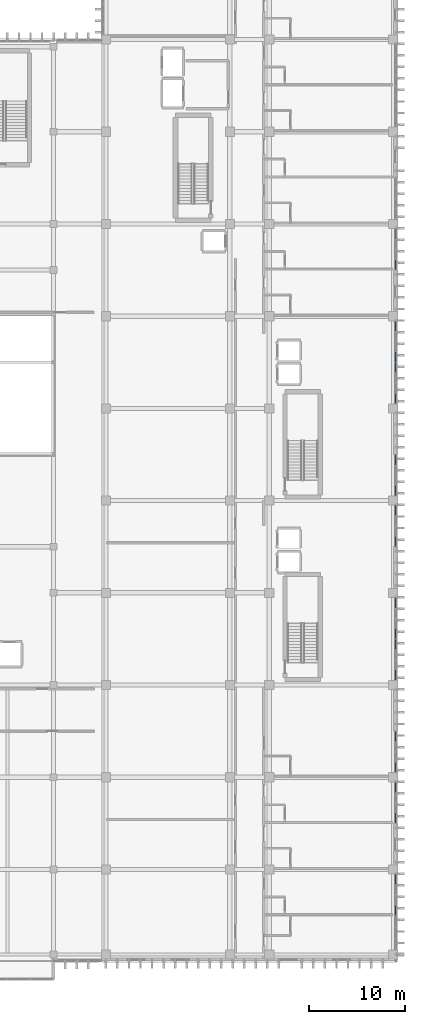
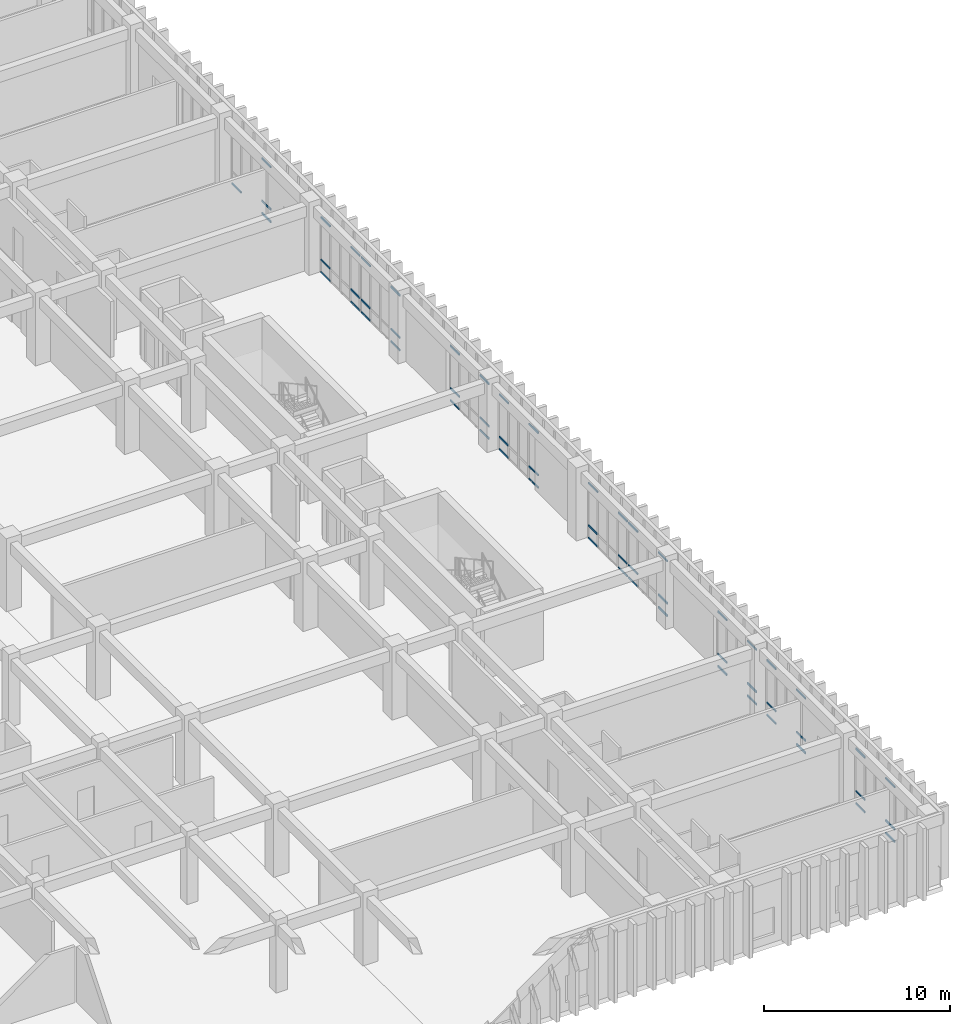
# One storey, part 85 of 133: 58 members, 10 elements without a shape of their own.
"""IFC4 building model written with IfcOpenShell, lengths in metres."""

from ifc_helpers import new_model, si_unit, direction, frame, origin, origin_2d, place, context, subcontext, project, spatial, hollow_rectangle, extrude, material, layer, layer_set, material_profile, profile_set, type_object, element, aggregate, save


model = new_model("IFC4")

# Units and contexts
model_context = context("Model", 3, precision=1e-05, world=origin(), true_north=direction((0.0, 1.0)))
body_context = subcontext(model_context, "Body", "Model", "MODEL_VIEW")
ifc_project = project(units=[si_unit("LENGTHUNIT", "METRE"), si_unit("AREAUNIT", "SQUARE_METRE"), si_unit("VOLUMEUNIT", "CUBIC_METRE"), si_unit("PLANEANGLEUNIT", "RADIAN"), si_unit("MASSUNIT", "GRAM", prefix="KILO")], contexts=[model_context])

# Site, building, storey
site_placement = place(None, origin())
site = spatial("IfcSite", under=ifc_project, at=site_placement, CompositionType="ELEMENT")
building_placement = place(site_placement, origin())
building = spatial("IfcBuilding", under=site, at=building_placement, Name="Nakhvara Creek Congress Hotel", CompositionType="ELEMENT")
storey_placement = place(building_placement, frame((0.0, 0.0, 11.39990234375)))
storey = spatial("IfcBuildingStorey", under=building, at=storey_placement, Name="L02", CompositionType="ELEMENT", Elevation=11.39990234375)

# Curtain wall, members
ifc_material_1 = material(Name="Bronze-anodised aluminium AW-6063-T6 and double-silver low-E glass", Category="aluminium")
ifc_layer = layer(ifc_material_1, 0.199951171875)
ifc_layer_set = layer_set([ifc_layer], Name="Bronze-anodised aluminium AW-6063-T6 and double-silver low-E glass")
curtain_wall_type = type_object("IfcCurtainWallType", Name="CW-HTL-UNIT", PredefinedType="USERDEFINED", material=ifc_layer_set)
curtain_wall_1_placement = place(storey_placement, origin())
curtain_wall_1 = element("IfcCurtainWall", 1, at=curtain_wall_1_placement, inside=storey, type_object=curtain_wall_type, Name="Curtain Wall CW129", ObjectType="UNITISED", PredefinedType="USERDEFINED")
ifc_material_2 = material(Name="Bronze-anodised aluminium AW-6063-T6", Category="aluminium")
ifc_material_profile = material_profile(ifc_material_2, hollow_rectangle(XDim=0.06494140625, YDim=0.1201171875, WallThickness=0.00390625, at=origin_2d()), Name="ALU-TRAN 65x120x4", Category="LoadBearing")
ifc_profile_set = profile_set([ifc_material_profile], Name="Bronze-anodised aluminium AW-6063-T6")
member_type = type_object("IfcMemberType", Name="CW-TRAN-120", PredefinedType="USERDEFINED", material=ifc_profile_set)
member_1_placement = place(storey_placement, frame((179.60009765625, 9.044921875, 0.03271484375), z_axis=(0.0, -1.0, 0.0), x_axis=(1.0, 0.0, 0.0)))
member_1 = element("IfcMember", 2, at=member_1_placement, type_object=member_type, Name="CW129 transom 1.1", ObjectType="TRANSOM", PredefinedType="USERDEFINED", context=body_context, shape_type="SweptSolid", body=[
    extrude(hollow_rectangle(XDim=0.06494140625, YDim=0.1201171875, WallThickness=0.00390625, at=origin_2d()), origin(), (0.0, 0.0, 1.0), 0.97998046875),
])
member_2_placement = place(storey_placement, frame((179.60009765625, 9.044921875, 0.85009765625), z_axis=(0.0, -1.0, 0.0), x_axis=(1.0, 0.0, 0.0)))
member_2 = element("IfcMember", 3, at=member_2_placement, type_object=member_type, Name="CW129 transom 1.2", ObjectType="TRANSOM", PredefinedType="USERDEFINED", context=body_context, shape_type="SweptSolid", body=[
    extrude(hollow_rectangle(XDim=0.06494140625, YDim=0.1201171875, WallThickness=0.00390625, at=origin_2d()), origin(), (0.0, 0.0, 1.0), 0.97998046875),
])
member_3_placement = place(storey_placement, frame((179.60009765625, 9.044921875, 3.629638671875), z_axis=(0.0, -1.0, 0.0), x_axis=(1.0, 0.0, 0.0)))
member_3 = element("IfcMember", 4, at=member_3_placement, type_object=member_type, Name="CW129 transom 1.3", ObjectType="TRANSOM", PredefinedType="USERDEFINED", context=body_context, shape_type="SweptSolid", body=[
    extrude(hollow_rectangle(XDim=0.06494140625, YDim=0.1201171875, WallThickness=0.00390625, at=origin_2d()), origin(), (0.0, 0.0, 1.0), 0.97998046875),
])
member_4_placement = place(storey_placement, frame((179.60009765625, 5.844970703125, 0.03271484375), z_axis=(0.0, -1.0, 0.0), x_axis=(1.0, 0.0, 0.0)))
member_4 = element("IfcMember", 5, at=member_4_placement, type_object=member_type, Name="CW129 transom 4.1", ObjectType="TRANSOM", PredefinedType="USERDEFINED", context=body_context, shape_type="SweptSolid", body=[
    extrude(hollow_rectangle(XDim=0.06494140625, YDim=0.1201171875, WallThickness=0.00390625, at=origin_2d()), origin(), (0.0, 0.0, 1.0), 0.97998046875),
])
member_5_placement = place(storey_placement, frame((179.60009765625, 5.844970703125, 0.85009765625), z_axis=(0.0, -1.0, 0.0), x_axis=(1.0, 0.0, 0.0)))
member_5 = element("IfcMember", 6, at=member_5_placement, type_object=member_type, Name="CW129 transom 4.2", ObjectType="TRANSOM", PredefinedType="USERDEFINED", context=body_context, shape_type="SweptSolid", body=[
    extrude(hollow_rectangle(XDim=0.06494140625, YDim=0.1201171875, WallThickness=0.00390625, at=origin_2d()), origin(), (0.0, 0.0, 1.0), 0.97998046875),
])
member_6_placement = place(storey_placement, frame((179.60009765625, 5.844970703125, 3.629638671875), z_axis=(0.0, -1.0, 0.0), x_axis=(1.0, 0.0, 0.0)))
member_6 = element("IfcMember", 7, at=member_6_placement, type_object=member_type, Name="CW129 transom 4.3", ObjectType="TRANSOM", PredefinedType="USERDEFINED", context=body_context, shape_type="SweptSolid", body=[
    extrude(hollow_rectangle(XDim=0.06494140625, YDim=0.1201171875, WallThickness=0.00390625, at=origin_2d()), origin(), (0.0, 0.0, 1.0), 0.97998046875),
])
aggregate(curtain_wall_1, [member_1, member_2, member_3, member_4, member_5, member_6])

curtain_wall_2_placement = place(storey_placement, origin())
curtain_wall_2 = element("IfcCurtainWall", 8, at=curtain_wall_2_placement, inside=storey, type_object=curtain_wall_type, Name="Curtain Wall CW130", ObjectType="UNITISED", PredefinedType="USERDEFINED")
member_7_placement = place(storey_placement, frame((179.60009765625, 18.64501953125, 0.03271484375), z_axis=(0.0, -1.0, 0.0), x_axis=(1.0, 0.0, 0.0)))
member_7 = element("IfcMember", 9, at=member_7_placement, type_object=member_type, Name="CW130 transom 1.1", ObjectType="TRANSOM", PredefinedType="USERDEFINED", context=body_context, shape_type="SweptSolid", body=[
    extrude(hollow_rectangle(XDim=0.06494140625, YDim=0.1201171875, WallThickness=0.00390625, at=origin_2d()), origin(), (0.0, 0.0, 1.0), 0.97998046875),
])
member_8_placement = place(storey_placement, frame((179.60009765625, 18.64501953125, 0.85009765625), z_axis=(0.0, -1.0, 0.0), x_axis=(1.0, 0.0, 0.0)))
member_8 = element("IfcMember", 10, at=member_8_placement, type_object=member_type, Name="CW130 transom 1.2", ObjectType="TRANSOM", PredefinedType="USERDEFINED", context=body_context, shape_type="SweptSolid", body=[
    extrude(hollow_rectangle(XDim=0.06494140625, YDim=0.1201171875, WallThickness=0.00390625, at=origin_2d()), origin(), (0.0, 0.0, 1.0), 0.97998046875),
])
member_9_placement = place(storey_placement, frame((179.60009765625, 18.64501953125, 3.629638671875), z_axis=(0.0, -1.0, 0.0), x_axis=(1.0, 0.0, 0.0)))
member_9 = element("IfcMember", 11, at=member_9_placement, type_object=member_type, Name="CW130 transom 1.3", ObjectType="TRANSOM", PredefinedType="USERDEFINED", context=body_context, shape_type="SweptSolid", body=[
    extrude(hollow_rectangle(XDim=0.06494140625, YDim=0.1201171875, WallThickness=0.00390625, at=origin_2d()), origin(), (0.0, 0.0, 1.0), 0.97998046875),
])
member_10_placement = place(storey_placement, frame((179.60009765625, 15.445068359375, 0.03271484375), z_axis=(0.0, -1.0, 0.0), x_axis=(1.0, 0.0, 0.0)))
member_10 = element("IfcMember", 12, at=member_10_placement, type_object=member_type, Name="CW130 transom 4.1", ObjectType="TRANSOM", PredefinedType="USERDEFINED", context=body_context, shape_type="SweptSolid", body=[
    extrude(hollow_rectangle(XDim=0.06494140625, YDim=0.1201171875, WallThickness=0.00390625, at=origin_2d()), origin(), (0.0, 0.0, 1.0), 0.97998046875),
])
member_11_placement = place(storey_placement, frame((179.60009765625, 15.445068359375, 0.85009765625), z_axis=(0.0, -1.0, 0.0), x_axis=(1.0, 0.0, 0.0)))
member_11 = element("IfcMember", 13, at=member_11_placement, type_object=member_type, Name="CW130 transom 4.2", ObjectType="TRANSOM", PredefinedType="USERDEFINED", context=body_context, shape_type="SweptSolid", body=[
    extrude(hollow_rectangle(XDim=0.06494140625, YDim=0.1201171875, WallThickness=0.00390625, at=origin_2d()), origin(), (0.0, 0.0, 1.0), 0.97998046875),
])
member_12_placement = place(storey_placement, frame((179.60009765625, 15.445068359375, 3.629638671875), z_axis=(0.0, -1.0, 0.0), x_axis=(1.0, 0.0, 0.0)))
member_12 = element("IfcMember", 14, at=member_12_placement, type_object=member_type, Name="CW130 transom 4.3", ObjectType="TRANSOM", PredefinedType="USERDEFINED", context=body_context, shape_type="SweptSolid", body=[
    extrude(hollow_rectangle(XDim=0.06494140625, YDim=0.1201171875, WallThickness=0.00390625, at=origin_2d()), origin(), (0.0, 0.0, 1.0), 0.97998046875),
])
aggregate(curtain_wall_2, [member_7, member_8, member_9, member_10, member_11, member_12])

curtain_wall_3_placement = place(storey_placement, origin())
curtain_wall_3 = element("IfcCurtainWall", 15, at=curtain_wall_3_placement, inside=storey, type_object=curtain_wall_type, Name="Curtain Wall CW131", ObjectType="UNITISED", PredefinedType="USERDEFINED")
member_13_placement = place(storey_placement, frame((179.60009765625, 23.93505859375, 0.03271484375), z_axis=(0.0, -1.0, 0.0), x_axis=(1.0, 0.0, 0.0)))
member_13 = element("IfcMember", 16, at=member_13_placement, type_object=member_type, Name="CW131 transom 1.1", ObjectType="TRANSOM", PredefinedType="USERDEFINED", context=body_context, shape_type="SweptSolid", body=[
    extrude(hollow_rectangle(XDim=0.06494140625, YDim=0.1201171875, WallThickness=0.00390625, at=origin_2d()), origin(), (0.0, 0.0, 1.0), 0.97998046875),
])
member_14_placement = place(storey_placement, frame((179.60009765625, 23.93505859375, 0.85009765625), z_axis=(0.0, -1.0, 0.0), x_axis=(1.0, 0.0, 0.0)))
member_14 = element("IfcMember", 17, at=member_14_placement, type_object=member_type, Name="CW131 transom 1.2", ObjectType="TRANSOM", PredefinedType="USERDEFINED", context=body_context, shape_type="SweptSolid", body=[
    extrude(hollow_rectangle(XDim=0.06494140625, YDim=0.1201171875, WallThickness=0.00390625, at=origin_2d()), origin(), (0.0, 0.0, 1.0), 0.97998046875),
])
member_15_placement = place(storey_placement, frame((179.60009765625, 23.93505859375, 3.629638671875), z_axis=(0.0, -1.0, 0.0), x_axis=(1.0, 0.0, 0.0)))
member_15 = element("IfcMember", 18, at=member_15_placement, type_object=member_type, Name="CW131 transom 1.3", ObjectType="TRANSOM", PredefinedType="USERDEFINED", context=body_context, shape_type="SweptSolid", body=[
    extrude(hollow_rectangle(XDim=0.06494140625, YDim=0.1201171875, WallThickness=0.00390625, at=origin_2d()), origin(), (0.0, 0.0, 1.0), 0.97998046875),
])
member_16_placement = place(storey_placement, frame((179.60009765625, 20.735107421875, 0.03271484375), z_axis=(0.0, -1.0, 0.0), x_axis=(1.0, 0.0, 0.0)))
member_16 = element("IfcMember", 19, at=member_16_placement, type_object=member_type, Name="CW131 transom 4.1", ObjectType="TRANSOM", PredefinedType="USERDEFINED", context=body_context, shape_type="SweptSolid", body=[
    extrude(hollow_rectangle(XDim=0.06494140625, YDim=0.1201171875, WallThickness=0.00390625, at=origin_2d()), origin(), (0.0, 0.0, 1.0), 0.980224609375),
])
member_17_placement = place(storey_placement, frame((179.60009765625, 20.735107421875, 0.85009765625), z_axis=(0.0, -1.0, 0.0), x_axis=(1.0, 0.0, 0.0)))
member_17 = element("IfcMember", 20, at=member_17_placement, type_object=member_type, Name="CW131 transom 4.2", ObjectType="TRANSOM", PredefinedType="USERDEFINED", context=body_context, shape_type="SweptSolid", body=[
    extrude(hollow_rectangle(XDim=0.06494140625, YDim=0.1201171875, WallThickness=0.00390625, at=origin_2d()), origin(), (0.0, 0.0, 1.0), 0.980224609375),
])
member_18_placement = place(storey_placement, frame((179.60009765625, 20.735107421875, 3.629638671875), z_axis=(0.0, -1.0, 0.0), x_axis=(1.0, 0.0, 0.0)))
member_18 = element("IfcMember", 21, at=member_18_placement, type_object=member_type, Name="CW131 transom 4.3", ObjectType="TRANSOM", PredefinedType="USERDEFINED", context=body_context, shape_type="SweptSolid", body=[
    extrude(hollow_rectangle(XDim=0.06494140625, YDim=0.1201171875, WallThickness=0.00390625, at=origin_2d()), origin(), (0.0, 0.0, 1.0), 0.980224609375),
])
aggregate(curtain_wall_3, [member_13, member_14, member_15, member_16, member_17, member_18])

curtain_wall_4_placement = place(storey_placement, origin())
curtain_wall_4 = element("IfcCurtainWall", 22, at=curtain_wall_4_placement, inside=storey, type_object=curtain_wall_type, Name="Curtain Wall CW132", ObjectType="UNITISED", PredefinedType="USERDEFINED")
member_19_placement = place(storey_placement, frame((179.60009765625, 33.534912109375, 0.03271484375), z_axis=(0.0, -1.0, 0.0), x_axis=(1.0, 0.0, 0.0)))
member_19 = element("IfcMember", 23, at=member_19_placement, type_object=member_type, Name="CW132 transom 1.1", ObjectType="TRANSOM", PredefinedType="USERDEFINED", context=body_context, shape_type="SweptSolid", body=[
    extrude(hollow_rectangle(XDim=0.06494140625, YDim=0.1201171875, WallThickness=0.00390625, at=origin_2d()), origin(), (0.0, 0.0, 1.0), 0.97998046875),
])
member_20_placement = place(storey_placement, frame((179.60009765625, 33.534912109375, 0.85009765625), z_axis=(0.0, -1.0, 0.0), x_axis=(1.0, 0.0, 0.0)))
member_20 = element("IfcMember", 24, at=member_20_placement, type_object=member_type, Name="CW132 transom 1.2", ObjectType="TRANSOM", PredefinedType="USERDEFINED", context=body_context, shape_type="SweptSolid", body=[
    extrude(hollow_rectangle(XDim=0.06494140625, YDim=0.1201171875, WallThickness=0.00390625, at=origin_2d()), origin(), (0.0, 0.0, 1.0), 0.97998046875),
])
member_21_placement = place(storey_placement, frame((179.60009765625, 33.534912109375, 3.629638671875), z_axis=(0.0, -1.0, 0.0), x_axis=(1.0, 0.0, 0.0)))
member_21 = element("IfcMember", 25, at=member_21_placement, type_object=member_type, Name="CW132 transom 1.3", ObjectType="TRANSOM", PredefinedType="USERDEFINED", context=body_context, shape_type="SweptSolid", body=[
    extrude(hollow_rectangle(XDim=0.06494140625, YDim=0.1201171875, WallThickness=0.00390625, at=origin_2d()), origin(), (0.0, 0.0, 1.0), 0.97998046875),
])
member_22_placement = place(storey_placement, frame((179.60009765625, 30.3349609375, 0.03271484375), z_axis=(0.0, -1.0, 0.0), x_axis=(1.0, 0.0, 0.0)))
member_22 = element("IfcMember", 26, at=member_22_placement, type_object=member_type, Name="CW132 transom 4.1", ObjectType="TRANSOM", PredefinedType="USERDEFINED", context=body_context, shape_type="SweptSolid", body=[
    extrude(hollow_rectangle(XDim=0.06494140625, YDim=0.1201171875, WallThickness=0.00390625, at=origin_2d()), origin(), (0.0, 0.0, 1.0), 0.97998046875),
])
member_23_placement = place(storey_placement, frame((179.60009765625, 30.3349609375, 0.85009765625), z_axis=(0.0, -1.0, 0.0), x_axis=(1.0, 0.0, 0.0)))
member_23 = element("IfcMember", 27, at=member_23_placement, type_object=member_type, Name="CW132 transom 4.2", ObjectType="TRANSOM", PredefinedType="USERDEFINED", context=body_context, shape_type="SweptSolid", body=[
    extrude(hollow_rectangle(XDim=0.06494140625, YDim=0.1201171875, WallThickness=0.00390625, at=origin_2d()), origin(), (0.0, 0.0, 1.0), 0.97998046875),
])
member_24_placement = place(storey_placement, frame((179.60009765625, 30.3349609375, 3.629638671875), z_axis=(0.0, -1.0, 0.0), x_axis=(1.0, 0.0, 0.0)))
member_24 = element("IfcMember", 28, at=member_24_placement, type_object=member_type, Name="CW132 transom 4.3", ObjectType="TRANSOM", PredefinedType="USERDEFINED", context=body_context, shape_type="SweptSolid", body=[
    extrude(hollow_rectangle(XDim=0.06494140625, YDim=0.1201171875, WallThickness=0.00390625, at=origin_2d()), origin(), (0.0, 0.0, 1.0), 0.97998046875),
])
aggregate(curtain_wall_4, [member_19, member_20, member_21, member_22, member_23, member_24])

curtain_wall_5_placement = place(storey_placement, origin())
curtain_wall_5 = element("IfcCurtainWall", 29, at=curtain_wall_5_placement, inside=storey, type_object=curtain_wall_type, Name="Curtain Wall CW133", ObjectType="UNITISED", PredefinedType="USERDEFINED")
member_25_placement = place(storey_placement, frame((179.60009765625, 37.844970703125, 0.03271484375), z_axis=(0.0, -1.0, 0.0), x_axis=(1.0, 0.0, 0.0)))
member_25 = element("IfcMember", 30, at=member_25_placement, type_object=member_type, Name="CW133 transom 1.1", ObjectType="TRANSOM", PredefinedType="USERDEFINED", context=body_context, shape_type="SweptSolid", body=[
    extrude(hollow_rectangle(XDim=0.06494140625, YDim=0.1201171875, WallThickness=0.00390625, at=origin_2d()), origin(), (0.0, 0.0, 1.0), 0.97998046875),
])
member_26_placement = place(storey_placement, frame((179.60009765625, 37.844970703125, 0.85009765625), z_axis=(0.0, -1.0, 0.0), x_axis=(1.0, 0.0, 0.0)))
member_26 = element("IfcMember", 31, at=member_26_placement, type_object=member_type, Name="CW133 transom 1.2", ObjectType="TRANSOM", PredefinedType="USERDEFINED", context=body_context, shape_type="SweptSolid", body=[
    extrude(hollow_rectangle(XDim=0.06494140625, YDim=0.1201171875, WallThickness=0.00390625, at=origin_2d()), origin(), (0.0, 0.0, 1.0), 0.97998046875),
])
member_27_placement = place(storey_placement, frame((179.60009765625, 37.844970703125, 3.629638671875), z_axis=(0.0, -1.0, 0.0), x_axis=(1.0, 0.0, 0.0)))
member_27 = element("IfcMember", 32, at=member_27_placement, type_object=member_type, Name="CW133 transom 1.3", ObjectType="TRANSOM", PredefinedType="USERDEFINED", context=body_context, shape_type="SweptSolid", body=[
    extrude(hollow_rectangle(XDim=0.06494140625, YDim=0.1201171875, WallThickness=0.00390625, at=origin_2d()), origin(), (0.0, 0.0, 1.0), 0.97998046875),
])
member_28_placement = place(storey_placement, frame((179.60009765625, 34.64501953125, 0.03271484375), z_axis=(0.0, -1.0, 0.0), x_axis=(1.0, 0.0, 0.0)))
member_28 = element("IfcMember", 33, at=member_28_placement, type_object=member_type, Name="CW133 transom 4.1", ObjectType="TRANSOM", PredefinedType="USERDEFINED", context=body_context, shape_type="SweptSolid", body=[
    extrude(hollow_rectangle(XDim=0.06494140625, YDim=0.1201171875, WallThickness=0.00390625, at=origin_2d()), origin(), (0.0, 0.0, 1.0), 0.97998046875),
])
member_29_placement = place(storey_placement, frame((179.60009765625, 34.64501953125, 0.85009765625), z_axis=(0.0, -1.0, 0.0), x_axis=(1.0, 0.0, 0.0)))
member_29 = element("IfcMember", 34, at=member_29_placement, type_object=member_type, Name="CW133 transom 4.2", ObjectType="TRANSOM", PredefinedType="USERDEFINED", context=body_context, shape_type="SweptSolid", body=[
    extrude(hollow_rectangle(XDim=0.06494140625, YDim=0.1201171875, WallThickness=0.00390625, at=origin_2d()), origin(), (0.0, 0.0, 1.0), 0.97998046875),
])
member_30_placement = place(storey_placement, frame((179.60009765625, 34.64501953125, 3.629638671875), z_axis=(0.0, -1.0, 0.0), x_axis=(1.0, 0.0, 0.0)))
member_30 = element("IfcMember", 35, at=member_30_placement, type_object=member_type, Name="CW133 transom 4.3", ObjectType="TRANSOM", PredefinedType="USERDEFINED", context=body_context, shape_type="SweptSolid", body=[
    extrude(hollow_rectangle(XDim=0.06494140625, YDim=0.1201171875, WallThickness=0.00390625, at=origin_2d()), origin(), (0.0, 0.0, 1.0), 0.97998046875),
])
aggregate(curtain_wall_5, [member_25, member_26, member_27, member_28, member_29, member_30])

curtain_wall_6_placement = place(storey_placement, origin())
curtain_wall_6 = element("IfcCurtainWall", 36, at=curtain_wall_6_placement, inside=storey, type_object=curtain_wall_type, Name="Curtain Wall CW134", ObjectType="UNITISED", PredefinedType="USERDEFINED")
member_31_placement = place(storey_placement, frame((179.60009765625, 47.445068359375, 0.03271484375), z_axis=(0.0, -1.0, 0.0), x_axis=(1.0, 0.0, 0.0)))
member_31 = element("IfcMember", 37, at=member_31_placement, type_object=member_type, Name="CW134 transom 1.1", ObjectType="TRANSOM", PredefinedType="USERDEFINED", context=body_context, shape_type="SweptSolid", body=[
    extrude(hollow_rectangle(XDim=0.06494140625, YDim=0.1201171875, WallThickness=0.00390625, at=origin_2d()), origin(), (0.0, 0.0, 1.0), 0.97998046875),
])
member_32_placement = place(storey_placement, frame((179.60009765625, 47.445068359375, 0.85009765625), z_axis=(0.0, -1.0, 0.0), x_axis=(1.0, 0.0, 0.0)))
member_32 = element("IfcMember", 38, at=member_32_placement, type_object=member_type, Name="CW134 transom 1.2", ObjectType="TRANSOM", PredefinedType="USERDEFINED", context=body_context, shape_type="SweptSolid", body=[
    extrude(hollow_rectangle(XDim=0.06494140625, YDim=0.1201171875, WallThickness=0.00390625, at=origin_2d()), origin(), (0.0, 0.0, 1.0), 0.97998046875),
])
member_33_placement = place(storey_placement, frame((179.60009765625, 47.445068359375, 3.629638671875), z_axis=(0.0, -1.0, 0.0), x_axis=(1.0, 0.0, 0.0)))
member_33 = element("IfcMember", 39, at=member_33_placement, type_object=member_type, Name="CW134 transom 1.3", ObjectType="TRANSOM", PredefinedType="USERDEFINED", context=body_context, shape_type="SweptSolid", body=[
    extrude(hollow_rectangle(XDim=0.06494140625, YDim=0.1201171875, WallThickness=0.00390625, at=origin_2d()), origin(), (0.0, 0.0, 1.0), 0.97998046875),
])
member_34_placement = place(storey_placement, frame((179.60009765625, 44.2451171875, 0.03271484375), z_axis=(0.0, -1.0, 0.0), x_axis=(1.0, 0.0, 0.0)))
member_34 = element("IfcMember", 40, at=member_34_placement, type_object=member_type, Name="CW134 transom 4.1", ObjectType="TRANSOM", PredefinedType="USERDEFINED", context=body_context, shape_type="SweptSolid", body=[
    extrude(hollow_rectangle(XDim=0.06494140625, YDim=0.1201171875, WallThickness=0.00390625, at=origin_2d()), origin(), (0.0, 0.0, 1.0), 0.980224609375),
])
member_35_placement = place(storey_placement, frame((179.60009765625, 44.2451171875, 0.85009765625), z_axis=(0.0, -1.0, 0.0), x_axis=(1.0, 0.0, 0.0)))
member_35 = element("IfcMember", 41, at=member_35_placement, type_object=member_type, Name="CW134 transom 4.2", ObjectType="TRANSOM", PredefinedType="USERDEFINED", context=body_context, shape_type="SweptSolid", body=[
    extrude(hollow_rectangle(XDim=0.06494140625, YDim=0.1201171875, WallThickness=0.00390625, at=origin_2d()), origin(), (0.0, 0.0, 1.0), 0.980224609375),
])
member_36_placement = place(storey_placement, frame((179.60009765625, 44.2451171875, 3.629638671875), z_axis=(0.0, -1.0, 0.0), x_axis=(1.0, 0.0, 0.0)))
member_36 = element("IfcMember", 42, at=member_36_placement, type_object=member_type, Name="CW134 transom 4.3", ObjectType="TRANSOM", PredefinedType="USERDEFINED", context=body_context, shape_type="SweptSolid", body=[
    extrude(hollow_rectangle(XDim=0.06494140625, YDim=0.1201171875, WallThickness=0.00390625, at=origin_2d()), origin(), (0.0, 0.0, 1.0), 0.980224609375),
])
aggregate(curtain_wall_6, [member_31, member_32, member_33, member_34, member_35, member_36])

curtain_wall_7_placement = place(storey_placement, origin())
curtain_wall_7 = element("IfcCurtainWall", 43, at=curtain_wall_7_placement, inside=storey, type_object=curtain_wall_type, Name="Curtain Wall CW135", ObjectType="UNITISED", PredefinedType="USERDEFINED")
member_37_placement = place(storey_placement, frame((179.60009765625, 52.735107421875, 0.03271484375), z_axis=(0.0, -1.0, 0.0), x_axis=(1.0, 0.0, 0.0)))
member_37 = element("IfcMember", 44, at=member_37_placement, type_object=member_type, Name="CW135 transom 1.1", ObjectType="TRANSOM", PredefinedType="USERDEFINED", context=body_context, shape_type="SweptSolid", body=[
    extrude(hollow_rectangle(XDim=0.06494140625, YDim=0.1201171875, WallThickness=0.00390625, at=origin_2d()), origin(), (0.0, 0.0, 1.0), 0.980224609375),
])
member_38_placement = place(storey_placement, frame((179.60009765625, 52.735107421875, 0.85009765625), z_axis=(0.0, -1.0, 0.0), x_axis=(1.0, 0.0, 0.0)))
member_38 = element("IfcMember", 45, at=member_38_placement, type_object=member_type, Name="CW135 transom 1.2", ObjectType="TRANSOM", PredefinedType="USERDEFINED", context=body_context, shape_type="SweptSolid", body=[
    extrude(hollow_rectangle(XDim=0.06494140625, YDim=0.1201171875, WallThickness=0.00390625, at=origin_2d()), origin(), (0.0, 0.0, 1.0), 0.980224609375),
])
member_39_placement = place(storey_placement, frame((179.60009765625, 52.735107421875, 3.629638671875), z_axis=(0.0, -1.0, 0.0), x_axis=(1.0, 0.0, 0.0)))
member_39 = element("IfcMember", 46, at=member_39_placement, type_object=member_type, Name="CW135 transom 1.3", ObjectType="TRANSOM", PredefinedType="USERDEFINED", context=body_context, shape_type="SweptSolid", body=[
    extrude(hollow_rectangle(XDim=0.06494140625, YDim=0.1201171875, WallThickness=0.00390625, at=origin_2d()), origin(), (0.0, 0.0, 1.0), 0.980224609375),
])
member_40_placement = place(storey_placement, frame((179.60009765625, 49.534912109375, 0.03271484375), z_axis=(0.0, -1.0, 0.0), x_axis=(1.0, 0.0, 0.0)))
member_40 = element("IfcMember", 47, at=member_40_placement, type_object=member_type, Name="CW135 transom 4.1", ObjectType="TRANSOM", PredefinedType="USERDEFINED", context=body_context, shape_type="SweptSolid", body=[
    extrude(hollow_rectangle(XDim=0.06494140625, YDim=0.1201171875, WallThickness=0.00390625, at=origin_2d()), origin(), (0.0, 0.0, 1.0), 0.97998046875),
])
member_41_placement = place(storey_placement, frame((179.60009765625, 49.534912109375, 0.85009765625), z_axis=(0.0, -1.0, 0.0), x_axis=(1.0, 0.0, 0.0)))
member_41 = element("IfcMember", 48, at=member_41_placement, type_object=member_type, Name="CW135 transom 4.2", ObjectType="TRANSOM", PredefinedType="USERDEFINED", context=body_context, shape_type="SweptSolid", body=[
    extrude(hollow_rectangle(XDim=0.06494140625, YDim=0.1201171875, WallThickness=0.00390625, at=origin_2d()), origin(), (0.0, 0.0, 1.0), 0.97998046875),
])
member_42_placement = place(storey_placement, frame((179.60009765625, 49.534912109375, 3.629638671875), z_axis=(0.0, -1.0, 0.0), x_axis=(1.0, 0.0, 0.0)))
member_42 = element("IfcMember", 49, at=member_42_placement, type_object=member_type, Name="CW135 transom 4.3", ObjectType="TRANSOM", PredefinedType="USERDEFINED", context=body_context, shape_type="SweptSolid", body=[
    extrude(hollow_rectangle(XDim=0.06494140625, YDim=0.1201171875, WallThickness=0.00390625, at=origin_2d()), origin(), (0.0, 0.0, 1.0), 0.97998046875),
])
aggregate(curtain_wall_7, [member_37, member_38, member_39, member_40, member_41, member_42])

curtain_wall_8_placement = place(storey_placement, origin())
curtain_wall_8 = element("IfcCurtainWall", 50, at=curtain_wall_8_placement, inside=storey, type_object=curtain_wall_type, Name="Curtain Wall CW136", ObjectType="UNITISED", PredefinedType="USERDEFINED")
member_43_placement = place(storey_placement, frame((179.60009765625, 62.3349609375, 0.03271484375), z_axis=(0.0, -1.0, 0.0), x_axis=(1.0, 0.0, 0.0)))
member_43 = element("IfcMember", 51, at=member_43_placement, type_object=member_type, Name="CW136 transom 1.1", ObjectType="TRANSOM", PredefinedType="USERDEFINED", context=body_context, shape_type="SweptSolid", body=[
    extrude(hollow_rectangle(XDim=0.06494140625, YDim=0.1201171875, WallThickness=0.00390625, at=origin_2d()), origin(), (0.0, 0.0, 1.0), 0.97998046875),
])
member_44_placement = place(storey_placement, frame((179.60009765625, 62.3349609375, 0.85009765625), z_axis=(0.0, -1.0, 0.0), x_axis=(1.0, 0.0, 0.0)))
member_44 = element("IfcMember", 52, at=member_44_placement, type_object=member_type, Name="CW136 transom 1.2", ObjectType="TRANSOM", PredefinedType="USERDEFINED", context=body_context, shape_type="SweptSolid", body=[
    extrude(hollow_rectangle(XDim=0.06494140625, YDim=0.1201171875, WallThickness=0.00390625, at=origin_2d()), origin(), (0.0, 0.0, 1.0), 0.97998046875),
])
member_45_placement = place(storey_placement, frame((179.60009765625, 62.3349609375, 3.629638671875), z_axis=(0.0, -1.0, 0.0), x_axis=(1.0, 0.0, 0.0)))
member_45 = element("IfcMember", 53, at=member_45_placement, type_object=member_type, Name="CW136 transom 1.3", ObjectType="TRANSOM", PredefinedType="USERDEFINED", context=body_context, shape_type="SweptSolid", body=[
    extrude(hollow_rectangle(XDim=0.06494140625, YDim=0.1201171875, WallThickness=0.00390625, at=origin_2d()), origin(), (0.0, 0.0, 1.0), 0.97998046875),
])
member_46_placement = place(storey_placement, frame((179.60009765625, 59.135009765625, 0.03271484375), z_axis=(0.0, -1.0, 0.0), x_axis=(1.0, 0.0, 0.0)))
member_46 = element("IfcMember", 54, at=member_46_placement, type_object=member_type, Name="CW136 transom 4.1", ObjectType="TRANSOM", PredefinedType="USERDEFINED", context=body_context, shape_type="SweptSolid", body=[
    extrude(hollow_rectangle(XDim=0.06494140625, YDim=0.1201171875, WallThickness=0.00390625, at=origin_2d()), origin(), (0.0, 0.0, 1.0), 0.97998046875),
])
member_47_placement = place(storey_placement, frame((179.60009765625, 59.135009765625, 0.85009765625), z_axis=(0.0, -1.0, 0.0), x_axis=(1.0, 0.0, 0.0)))
member_47 = element("IfcMember", 55, at=member_47_placement, type_object=member_type, Name="CW136 transom 4.2", ObjectType="TRANSOM", PredefinedType="USERDEFINED", context=body_context, shape_type="SweptSolid", body=[
    extrude(hollow_rectangle(XDim=0.06494140625, YDim=0.1201171875, WallThickness=0.00390625, at=origin_2d()), origin(), (0.0, 0.0, 1.0), 0.97998046875),
])
member_48_placement = place(storey_placement, frame((179.60009765625, 59.135009765625, 3.629638671875), z_axis=(0.0, -1.0, 0.0), x_axis=(1.0, 0.0, 0.0)))
member_48 = element("IfcMember", 56, at=member_48_placement, type_object=member_type, Name="CW136 transom 4.3", ObjectType="TRANSOM", PredefinedType="USERDEFINED", context=body_context, shape_type="SweptSolid", body=[
    extrude(hollow_rectangle(XDim=0.06494140625, YDim=0.1201171875, WallThickness=0.00390625, at=origin_2d()), origin(), (0.0, 0.0, 1.0), 0.97998046875),
])
aggregate(curtain_wall_8, [member_43, member_44, member_45, member_46, member_47, member_48])

curtain_wall_9_placement = place(storey_placement, origin())
curtain_wall_9 = element("IfcCurtainWall", 57, at=curtain_wall_9_placement, inside=storey, type_object=curtain_wall_type, Name="Curtain Wall CW137", ObjectType="UNITISED", PredefinedType="USERDEFINED")
member_49_placement = place(storey_placement, frame((179.60009765625, 66.64501953125, 0.03271484375), z_axis=(0.0, -1.0, 0.0), x_axis=(1.0, 0.0, 0.0)))
member_49 = element("IfcMember", 58, at=member_49_placement, type_object=member_type, Name="CW137 transom 1.1", ObjectType="TRANSOM", PredefinedType="USERDEFINED", context=body_context, shape_type="SweptSolid", body=[
    extrude(hollow_rectangle(XDim=0.06494140625, YDim=0.1201171875, WallThickness=0.00390625, at=origin_2d()), origin(), (0.0, 0.0, 1.0), 0.97998046875),
])
member_50_placement = place(storey_placement, frame((179.60009765625, 66.64501953125, 0.85009765625), z_axis=(0.0, -1.0, 0.0), x_axis=(1.0, 0.0, 0.0)))
member_50 = element("IfcMember", 59, at=member_50_placement, type_object=member_type, Name="CW137 transom 1.2", ObjectType="TRANSOM", PredefinedType="USERDEFINED", context=body_context, shape_type="SweptSolid", body=[
    extrude(hollow_rectangle(XDim=0.06494140625, YDim=0.1201171875, WallThickness=0.00390625, at=origin_2d()), origin(), (0.0, 0.0, 1.0), 0.97998046875),
])
member_51_placement = place(storey_placement, frame((179.60009765625, 66.64501953125, 3.629638671875), z_axis=(0.0, -1.0, 0.0), x_axis=(1.0, 0.0, 0.0)))
member_51 = element("IfcMember", 60, at=member_51_placement, type_object=member_type, Name="CW137 transom 1.3", ObjectType="TRANSOM", PredefinedType="USERDEFINED", context=body_context, shape_type="SweptSolid", body=[
    extrude(hollow_rectangle(XDim=0.06494140625, YDim=0.1201171875, WallThickness=0.00390625, at=origin_2d()), origin(), (0.0, 0.0, 1.0), 0.97998046875),
])
member_52_placement = place(storey_placement, frame((179.60009765625, 63.445068359375, 0.03271484375), z_axis=(0.0, -1.0, 0.0), x_axis=(1.0, 0.0, 0.0)))
member_52 = element("IfcMember", 61, at=member_52_placement, type_object=member_type, Name="CW137 transom 4.1", ObjectType="TRANSOM", PredefinedType="USERDEFINED", context=body_context, shape_type="SweptSolid", body=[
    extrude(hollow_rectangle(XDim=0.06494140625, YDim=0.1201171875, WallThickness=0.00390625, at=origin_2d()), origin(), (0.0, 0.0, 1.0), 0.97998046875),
])
member_53_placement = place(storey_placement, frame((179.60009765625, 63.445068359375, 0.85009765625), z_axis=(0.0, -1.0, 0.0), x_axis=(1.0, 0.0, 0.0)))
member_53 = element("IfcMember", 62, at=member_53_placement, type_object=member_type, Name="CW137 transom 4.2", ObjectType="TRANSOM", PredefinedType="USERDEFINED", context=body_context, shape_type="SweptSolid", body=[
    extrude(hollow_rectangle(XDim=0.06494140625, YDim=0.1201171875, WallThickness=0.00390625, at=origin_2d()), origin(), (0.0, 0.0, 1.0), 0.97998046875),
])
member_54_placement = place(storey_placement, frame((179.60009765625, 63.445068359375, 3.629638671875), z_axis=(0.0, -1.0, 0.0), x_axis=(1.0, 0.0, 0.0)))
member_54 = element("IfcMember", 63, at=member_54_placement, type_object=member_type, Name="CW137 transom 4.3", ObjectType="TRANSOM", PredefinedType="USERDEFINED", context=body_context, shape_type="SweptSolid", body=[
    extrude(hollow_rectangle(XDim=0.06494140625, YDim=0.1201171875, WallThickness=0.00390625, at=origin_2d()), origin(), (0.0, 0.0, 1.0), 0.97998046875),
])
aggregate(curtain_wall_9, [member_49, member_50, member_51, member_52, member_53, member_54])

curtain_wall_10_placement = place(storey_placement, origin())
curtain_wall_10 = element("IfcCurtainWall", 64, at=curtain_wall_10_placement, inside=storey, type_object=curtain_wall_type, Name="Curtain Wall CW138", ObjectType="UNITISED", PredefinedType="USERDEFINED")
member_55_placement = place(storey_placement, frame((179.60009765625, 76.2451171875, 0.03271484375), z_axis=(0.0, -1.0, 0.0), x_axis=(1.0, 0.0, 0.0)))
member_55 = element("IfcMember", 65, at=member_55_placement, type_object=member_type, Name="CW138 transom 1.1", ObjectType="TRANSOM", PredefinedType="USERDEFINED", context=body_context, shape_type="SweptSolid", body=[
    extrude(hollow_rectangle(XDim=0.06494140625, YDim=0.1201171875, WallThickness=0.00390625, at=origin_2d()), origin(), (0.0, 0.0, 1.0), 0.980224609375),
])
member_56_placement = place(storey_placement, frame((179.60009765625, 73.044921875, 0.03271484375), z_axis=(0.0, -1.0, 0.0), x_axis=(1.0, 0.0, 0.0)))
member_56 = element("IfcMember", 66, at=member_56_placement, type_object=member_type, Name="CW138 transom 4.1", ObjectType="TRANSOM", PredefinedType="USERDEFINED", context=body_context, shape_type="SweptSolid", body=[
    extrude(hollow_rectangle(XDim=0.06494140625, YDim=0.1201171875, WallThickness=0.00390625, at=origin_2d()), origin(), (0.0, 0.0, 1.0), 0.97998046875),
])
member_57_placement = place(storey_placement, frame((179.60009765625, 73.044921875, 0.85009765625), z_axis=(0.0, -1.0, 0.0), x_axis=(1.0, 0.0, 0.0)))
member_57 = element("IfcMember", 67, at=member_57_placement, type_object=member_type, Name="CW138 transom 4.2", ObjectType="TRANSOM", PredefinedType="USERDEFINED", context=body_context, shape_type="SweptSolid", body=[
    extrude(hollow_rectangle(XDim=0.06494140625, YDim=0.1201171875, WallThickness=0.00390625, at=origin_2d()), origin(), (0.0, 0.0, 1.0), 0.97998046875),
])
member_58_placement = place(storey_placement, frame((179.60009765625, 73.044921875, 3.629638671875), z_axis=(0.0, -1.0, 0.0), x_axis=(1.0, 0.0, 0.0)))
member_58 = element("IfcMember", 68, at=member_58_placement, type_object=member_type, Name="CW138 transom 4.3", ObjectType="TRANSOM", PredefinedType="USERDEFINED", context=body_context, shape_type="SweptSolid", body=[
    extrude(hollow_rectangle(XDim=0.06494140625, YDim=0.1201171875, WallThickness=0.00390625, at=origin_2d()), origin(), (0.0, 0.0, 1.0), 0.97998046875),
])
aggregate(curtain_wall_10, [member_55, member_56, member_57, member_58])

save(model, "model.ifc")
